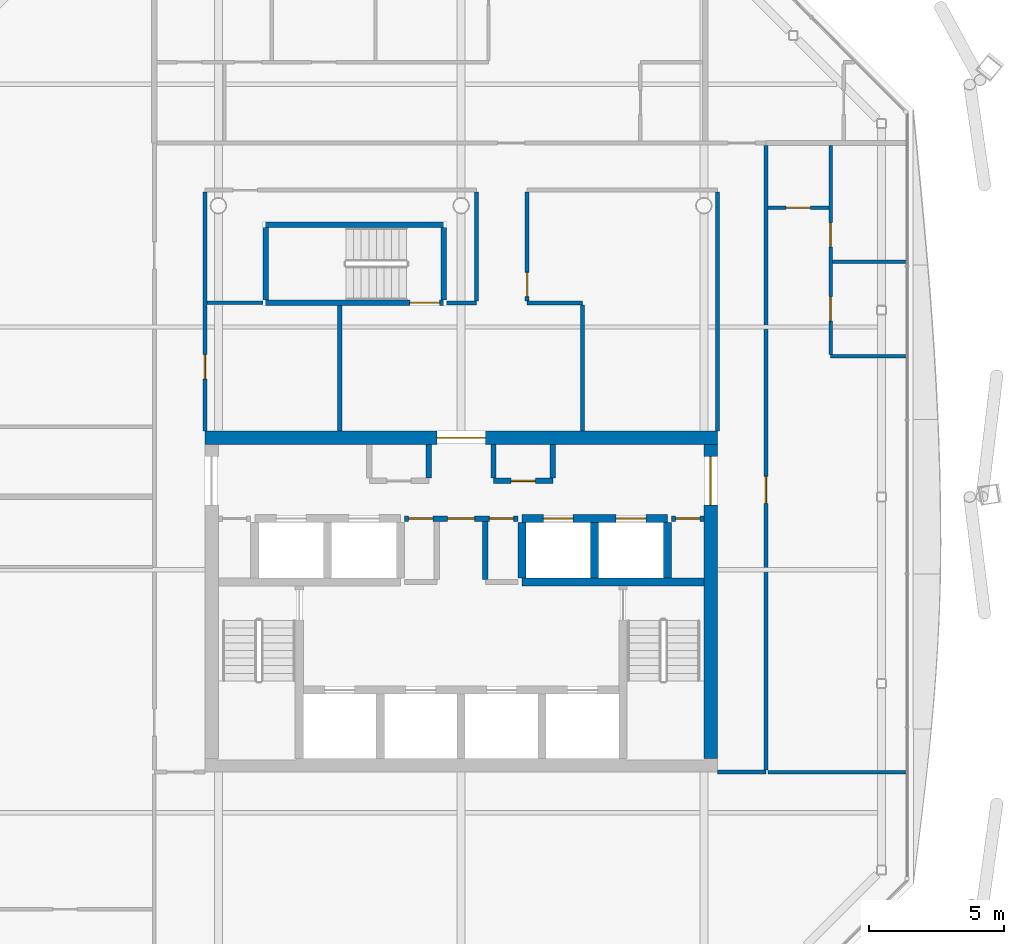
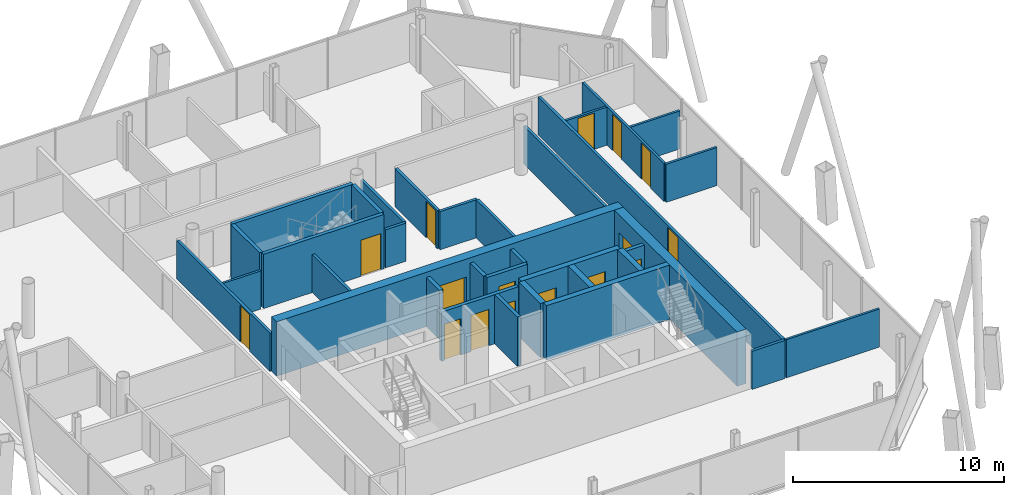
# One storey, part 15 of 20: 34 walls, 16 doors, 16 openings.
"""IFC4 building model written with IfcOpenShell, lengths in metres."""

from ifc_helpers import new_model, si_unit, direction, frame, frame_2d, origin, place, context, subcontext, project, spatial, rectangle, extrude, material, layer, layer_set, type_object, element, fill, save


model = new_model("IFC4")

# Units and contexts
model_context = context("Model", 3, precision=1e-05, world=origin(), true_north=direction((0.0, 1.0)))
body_context = subcontext(model_context, "Body", "Model", "MODEL_VIEW")
ifc_project = project(units=[si_unit("LENGTHUNIT", "METRE"), si_unit("AREAUNIT", "SQUARE_METRE"), si_unit("VOLUMEUNIT", "CUBIC_METRE"), si_unit("PLANEANGLEUNIT", "RADIAN"), si_unit("MASSUNIT", "GRAM", prefix="KILO")], contexts=[model_context])

# Site, building, storey
site_placement = place(None, origin())
site = spatial("IfcSite", under=ifc_project, at=site_placement, CompositionType="ELEMENT")
building_placement = place(site_placement, origin())
building = spatial("IfcBuilding", under=site, at=building_placement, Name="Tskaro Facet Tower", CompositionType="ELEMENT")
storey_placement = place(building_placement, frame((0.0, 0.0, 200.550048828125)))
storey = spatial("IfcBuildingStorey", under=building, at=storey_placement, Name="L51", CompositionType="ELEMENT", Elevation=200.550048828125)

# Wall
ifc_material_1 = material(Name="Concrete C60/75", Category="concrete")
ifc_layer_1 = layer(ifc_material_1, 0.300048828125, Name="Concrete C60/75")
ifc_layer_set_1 = layer_set([ifc_layer_1], Name="Concrete C60/75")
wall_type_1 = type_object("IfcWallType", Name="CORE-SHAFT", PredefinedType="SHEAR", material=ifc_layer_set_1)
wall_1_placement = place(storey_placement, frame((2.25, -4.949951171875, 0.0), z_axis=(0.0, 0.0, 1.0), x_axis=(1.0, 0.0, 0.0)))
element("IfcWall", 1, at=wall_1_placement, inside=storey, type_object=wall_type_1, Name="Shaft wall W012", PredefinedType="SHEAR", context=body_context, shape_type="SweptSolid", body=[
    extrude(rectangle(XDim=6.75, YDim=0.300048828125, at=frame_2d((3.375, 0.0))), origin(), (0.0, 0.0, 1.0), 3.14990234375),
])

# Wall, openings, doors
wall_2_placement = place(storey_placement, frame((2.25, -2.60009765625, 0.0), z_axis=(0.0, 0.0, 1.0), x_axis=(1.0, 0.0, 0.0)))
wall_2 = element("IfcWall", 2, at=wall_2_placement, inside=storey, type_object=wall_type_1, Name="Shaft wall W017", PredefinedType="SHEAR", context=body_context, shape_type="SweptSolid", body=[
    extrude(rectangle(XDim=5.39990234375, YDim=0.300048828125, at=frame_2d((2.699951171875, 0.0))), origin(), (0.0, 0.0, 1.0), 3.14990234375),
])
opening_1_placement = place(wall_2_placement, frame((0.800048828125, 0.0, 0.0)))
opening_1 = element("IfcOpeningElement", 3, at=opening_1_placement, cuts=wall_2, Name="Opening LD-HB3", PredefinedType="OPENING", context=body_context, shape_type="SweptSolid", body=[
    extrude(rectangle(XDim=1.10009765625, YDim=2.10009765625, at=frame_2d((0.550048828125, 1.050048828125))), frame((0.0, 0.159912109375, 0.0), z_axis=(0.0, -1.0, 0.0), x_axis=(1.0, 0.0, 0.0)), (0.0, 0.0, 1.0), 0.320068359375),
])
opening_2_placement = place(wall_2_placement, frame((3.5, 0.0, 0.0)))
opening_2 = element("IfcOpeningElement", 4, at=opening_2_placement, cuts=wall_2, Name="Opening LD-HB4", PredefinedType="OPENING", context=body_context, shape_type="SweptSolid", body=[
    extrude(rectangle(XDim=1.10009765625, YDim=2.10009765625, at=frame_2d((0.550048828125, 1.050048828125))), frame((0.0, 0.159912109375, 0.0), z_axis=(0.0, -1.0, 0.0), x_axis=(1.0, 0.0, 0.0)), (0.0, 0.0, 1.0), 0.320068359375),
])
ifc_material_2 = material(Name="Stainless steel", Category="steel")
door_type_1 = type_object("IfcDoorType", Name="D-LANDING", OperationType="NOTDEFINED", PredefinedType="DOOR", material=ifc_material_2)
door_1_placement = place(opening_1_placement, origin())
door_1 = element("IfcDoor", 5, at=door_1_placement, inside=storey, type_object=door_type_1, Name="Landing door HB3", OperationType="DOUBLE_DOOR_SLIDING", OverallHeight=2.10009765625, OverallWidth=1.10009765625, PredefinedType="DOOR", context=body_context, shape_type="SweptSolid", body=[
    extrude(rectangle(XDim=1.10009765625, YDim=2.10009765625, at=frame_2d((0.550048828125, 1.050048828125))), frame((0.0, 0.02490234375, 0.0), z_axis=(0.0, -1.0, 0.0), x_axis=(1.0, 0.0, 0.0)), (0.0, 0.0, 1.0), 0.050048828125),
])
fill(opening_1, door_1)
door_2_placement = place(opening_2_placement, origin())
door_2 = element("IfcDoor", 6, at=door_2_placement, inside=storey, type_object=door_type_1, Name="Landing door HB4", OperationType="DOUBLE_DOOR_SLIDING", OverallHeight=2.10009765625, OverallWidth=1.10009765625, PredefinedType="DOOR", context=body_context, shape_type="SweptSolid", body=[
    extrude(rectangle(XDim=1.10009765625, YDim=2.10009765625, at=frame_2d((0.550048828125, 1.050048828125))), frame((0.0, 0.02490234375, 0.0), z_axis=(0.0, -1.0, 0.0), x_axis=(1.0, 0.0, 0.0)), (0.0, 0.0, 1.0), 0.050048828125),
])
fill(opening_2, door_2)

# Walls
for number, where, z_axis, x_axis, name in (
    (7, (2.25, -4.800048828125, 0.0), (0.0, 0.0, 1.0), (0.0, 1.0, 0.0), "Shaft wall W071"),
    (8, (4.949951171875, -4.800048828125, 0.0), (0.0, 0.0, 1.0), (0.0, 1.0, 0.0), "Shaft wall W076"),
    (9, (7.64990234375, -4.800048828125, 0.0), (0.0, 0.0, 1.0), (0.0, 1.0, 0.0), "Shaft wall W079"),
):
    element("IfcWall", number, at=place(storey_placement, frame(where, z_axis=z_axis, x_axis=x_axis)), inside=storey, type_object=wall_type_1, Name=name, PredefinedType="SHEAR", context=body_context, shape_type="SweptSolid", body=[
        extrude(rectangle(XDim=2.050048828125, YDim=0.300048828125, at=frame_2d((1.02490234375, 0.0))), origin(), (0.0, 0.0, 1.0), 3.14990234375),
    ])

# Wall, openings, doors
ifc_material_3 = material(Name="Concrete C20/25", Category="concrete")
ifc_layer_2 = layer(ifc_material_3, 0.199951171875, Name="Concrete C20/25")
ifc_layer_set_2 = layer_set([ifc_layer_2], Name="Concrete C20/25")
wall_type_2 = type_object("IfcWallType", Name="CORE-WALL", PredefinedType="SOLIDWALL", material=ifc_layer_set_2)
wall_3_placement = place(storey_placement, frame((2.10009765625, -2.60009765625, 0.0), z_axis=(0.0, 0.0, 1.0), x_axis=(-1.0, 0.0, 0.0)))
wall_3 = element("IfcWall", 10, at=wall_3_placement, inside=storey, type_object=wall_type_2, Name="Core room wall W016", PredefinedType="SOLIDWALL", context=body_context, shape_type="SweptSolid", body=[
    extrude(rectangle(XDim=4.2001953125, YDim=0.199951171875, at=frame_2d((2.10009765625, 0.0))), origin(), (0.0, 0.0, 1.0), 2.849853515625),
])
opening_3_placement = place(wall_3_placement, frame((1.60009765625, 0.0, 0.0)))
opening_3 = element("IfcOpeningElement", 11, at=opening_3_placement, cuts=wall_3, Name="Opening FL-D1", PredefinedType="OPENING", context=body_context, shape_type="SweptSolid", body=[
    extrude(rectangle(XDim=1.0, YDim=2.10009765625, at=frame_2d((0.5, 1.050048828125))), frame((0.0, 0.10986328125, 0.0), z_axis=(0.0, -1.0, 0.0), x_axis=(1.0, 0.0, 0.0)), (0.0, 0.0, 1.0), 0.219970703125),
])
opening_4_placement = place(wall_3_placement, frame((3.14990234375, 0.0, 0.0)))
opening_4 = element("IfcOpeningElement", 12, at=opening_4_placement, cuts=wall_3, Name="Opening T15-D08", PredefinedType="OPENING", context=body_context, shape_type="SweptSolid", body=[
    extrude(rectangle(XDim=0.89990234375, YDim=2.10009765625, at=frame_2d((0.449951171875, 1.050048828125))), frame((0.0, 0.10986328125, 0.0), z_axis=(0.0, -1.0, 0.0), x_axis=(1.0, 0.0, 0.0)), (0.0, 0.0, 1.0), 0.219970703125),
])
opening_5_placement = place(wall_3_placement, frame((0.14990234375, 0.0, 0.0)))
opening_5 = element("IfcOpeningElement", 13, at=opening_5_placement, cuts=wall_3, Name="Opening T15-D09", PredefinedType="OPENING", context=body_context, shape_type="SweptSolid", body=[
    extrude(rectangle(XDim=0.89990234375, YDim=2.10009765625, at=frame_2d((0.449951171875, 1.050048828125))), frame((0.0, 0.10986328125, 0.0), z_axis=(0.0, -1.0, 0.0), x_axis=(1.0, 0.0, 0.0)), (0.0, 0.0, 1.0), 0.219970703125),
])
ifc_material_4 = material(Name="Steel", Category="steel")
door_type_2 = type_object("IfcDoorType", Name="D-LOBBY", OperationType="NOTDEFINED", PredefinedType="DOOR", material=ifc_material_4)
door_3_placement = place(opening_3_placement, origin())
door_3 = element("IfcDoor", 14, at=door_3_placement, inside=storey, type_object=door_type_2, Name="Lobby door FL", OperationType="SINGLE_SWING_RIGHT", OverallHeight=2.10009765625, OverallWidth=1.0, PredefinedType="DOOR", context=body_context, shape_type="SweptSolid", body=[
    extrude(rectangle(XDim=1.0, YDim=2.10009765625, at=frame_2d((0.5, 1.050048828125))), frame((0.0, 0.02490234375, 0.0), z_axis=(0.0, -1.0, 0.0), x_axis=(1.0, 0.0, 0.0)), (0.0, 0.0, 1.0), 0.050048828125),
])
fill(opening_3, door_3)
ifc_material_5 = material(Name="Timber", Category="wood")
door_type_3 = type_object("IfcDoorType", Name="D-ROOM", OperationType="NOTDEFINED", PredefinedType="DOOR", material=ifc_material_5)
door_4_placement = place(opening_4_placement, origin())
door_4 = element("IfcDoor", 15, at=door_4_placement, inside=storey, type_object=door_type_3, Name="Door T15-D08", OperationType="SINGLE_SWING_RIGHT", OverallHeight=2.10009765625, OverallWidth=0.89990234375, PredefinedType="DOOR", context=body_context, shape_type="SweptSolid", body=[
    extrude(rectangle(XDim=0.89990234375, YDim=2.10009765625, at=frame_2d((0.449951171875, 1.050048828125))), frame((0.0, 0.02490234375, 0.0), z_axis=(0.0, -1.0, 0.0), x_axis=(1.0, 0.0, 0.0)), (0.0, 0.0, 1.0), 0.050048828125),
])
fill(opening_4, door_4)
door_5_placement = place(opening_5_placement, origin())
door_5 = element("IfcDoor", 16, at=door_5_placement, inside=storey, type_object=door_type_3, Name="Door T15-D09", OperationType="SINGLE_SWING_RIGHT", OverallHeight=2.10009765625, OverallWidth=0.89990234375, PredefinedType="DOOR", context=body_context, shape_type="SweptSolid", body=[
    extrude(rectangle(XDim=0.89990234375, YDim=2.10009765625, at=frame_2d((0.449951171875, 1.050048828125))), frame((0.0, 0.02490234375, 0.0), z_axis=(0.0, -1.0, 0.0), x_axis=(1.0, 0.0, 0.0)), (0.0, 0.0, 1.0), 0.050048828125),
])
fill(opening_5, door_5)

# Wall, opening, door
wall_4_placement = place(storey_placement, frame((9.0, -2.60009765625, 0.0), z_axis=(0.0, 0.0, 1.0), x_axis=(-1.0, 0.0, 0.0)))
wall_4 = element("IfcWall", 17, at=wall_4_placement, inside=storey, type_object=wall_type_2, Name="Core room wall W018", PredefinedType="SOLIDWALL", context=body_context, shape_type="SweptSolid", body=[
    extrude(rectangle(XDim=1.199951171875, YDim=0.199951171875, at=frame_2d((0.60009765625, 0.0))), origin(), (0.0, 0.0, 1.0), 2.849853515625),
])
opening_6_placement = place(wall_4_placement, frame((0.14990234375, 0.0, 0.0)))
opening_6 = element("IfcOpeningElement", 18, at=opening_6_placement, cuts=wall_4, Name="Opening T15-D10", PredefinedType="OPENING", context=body_context, shape_type="SweptSolid", body=[
    extrude(rectangle(XDim=0.89990234375, YDim=2.10009765625, at=frame_2d((0.449951171875, 1.050048828125))), frame((0.0, 0.10986328125, 0.0), z_axis=(0.0, -1.0, 0.0), x_axis=(1.0, 0.0, 0.0)), (0.0, 0.0, 1.0), 0.219970703125),
])
door_6_placement = place(opening_6_placement, origin())
door_6 = element("IfcDoor", 19, at=door_6_placement, inside=storey, type_object=door_type_3, Name="Door T15-D10", OperationType="SINGLE_SWING_RIGHT", OverallHeight=2.10009765625, OverallWidth=0.89990234375, PredefinedType="DOOR", context=body_context, shape_type="SweptSolid", body=[
    extrude(rectangle(XDim=0.89990234375, YDim=2.10009765625, at=frame_2d((0.449951171875, 1.050048828125))), frame((0.0, 0.02490234375, 0.0), z_axis=(0.0, -1.0, 0.0), x_axis=(1.0, 0.0, 0.0)), (0.0, 0.0, 1.0), 0.050048828125),
])
fill(opening_6, door_6)

wall_5_placement = place(storey_placement, frame((1.199951171875, -1.199951171875, 0.0), z_axis=(0.0, 0.0, 1.0), x_axis=(1.0, 0.0, 0.0)))
wall_5 = element("IfcWall", 20, at=wall_5_placement, inside=storey, type_object=wall_type_2, Name="Core room wall W022", PredefinedType="SOLIDWALL", context=body_context, shape_type="SweptSolid", body=[
    extrude(rectangle(XDim=2.199951171875, YDim=0.199951171875, at=frame_2d((1.10009765625, 0.0))), origin(), (0.0, 0.0, 1.0), 2.849853515625),
])
opening_7_placement = place(wall_5_placement, frame((0.64990234375, 0.0, 0.0)))
opening_7 = element("IfcOpeningElement", 21, at=opening_7_placement, cuts=wall_5, Name="Opening T15-D14", PredefinedType="OPENING", context=body_context, shape_type="SweptSolid", body=[
    extrude(rectangle(XDim=0.89990234375, YDim=2.10009765625, at=frame_2d((0.449951171875, 1.050048828125))), frame((0.0, 0.10986328125, 0.0), z_axis=(0.0, -1.0, 0.0), x_axis=(1.0, 0.0, 0.0)), (0.0, 0.0, 1.0), 0.219970703125),
])
door_7_placement = place(opening_7_placement, origin())
door_7 = element("IfcDoor", 22, at=door_7_placement, inside=storey, type_object=door_type_3, Name="Door T15-D14", OperationType="SINGLE_SWING_LEFT", OverallHeight=2.10009765625, OverallWidth=0.89990234375, PredefinedType="DOOR", context=body_context, shape_type="SweptSolid", body=[
    extrude(rectangle(XDim=0.89990234375, YDim=2.10009765625, at=frame_2d((0.449951171875, 1.050048828125))), frame((0.0, 0.02490234375, 0.0), z_axis=(0.0, -1.0, 0.0), x_axis=(1.0, 0.0, 0.0)), (0.0, 0.0, 1.0), 0.050048828125),
])
fill(opening_7, door_7)

# Walls
wall_6_placement = place(storey_placement, frame((-1.199951171875, -1.10009765625, 0.0), z_axis=(0.0, 0.0, 1.0), x_axis=(0.0, 1.0, 0.0)))
element("IfcWall", 23, at=wall_6_placement, inside=storey, type_object=wall_type_2, Name="Core room wall W062", PredefinedType="SOLIDWALL", context=body_context, shape_type="SweptSolid", body=[
    extrude(rectangle(XDim=1.25, YDim=0.199951171875, at=frame_2d((0.625, 0.0))), origin(), (0.0, 0.0, 1.0), 2.849853515625),
])
wall_7_placement = place(storey_placement, frame((0.89990234375, -4.85009765625, 0.0), z_axis=(0.0, 0.0, 1.0), x_axis=(0.0, 1.0, 0.0)))
element("IfcWall", 24, at=wall_7_placement, inside=storey, type_object=wall_type_2, Name="Core room wall W067", PredefinedType="SOLIDWALL", context=body_context, shape_type="SweptSolid", body=[
    extrude(rectangle(XDim=2.150146484375, YDim=0.199951171875, at=frame_2d((1.0751953125, 0.0))), origin(), (0.0, 0.0, 1.0), 2.849853515625),
])
for number, where, z_axis, x_axis, name in (
    (25, (1.199951171875, -1.10009765625, 0.0), (0.0, 0.0, 1.0), (0.0, 1.0, 0.0), "Core room wall W070"),
    (26, (3.39990234375, -1.10009765625, 0.0), (0.0, 0.0, 1.0), (0.0, 1.0, 0.0), "Core room wall W074"),
):
    element("IfcWall", number, at=place(storey_placement, frame(where, z_axis=z_axis, x_axis=x_axis)), inside=storey, type_object=wall_type_2, Name=name, PredefinedType="SOLIDWALL", context=body_context, shape_type="SweptSolid", body=[
        extrude(rectangle(XDim=1.25, YDim=0.199951171875, at=frame_2d((0.625, 0.0))), origin(), (0.0, 0.0, 1.0), 2.849853515625),
    ])

# Wall, opening, door
ifc_material_6 = material(Name="Concrete C40/50", Category="concrete")
ifc_layer_3 = layer(ifc_material_6, 0.5, Name="Concrete C40/50")
ifc_layer_set_3 = layer_set([ifc_layer_3], Name="Concrete C40/50")
wall_type_3 = type_object("IfcWallType", Name="Core wall 500", PredefinedType="SHEAR", material=ifc_layer_set_3)
wall_8_placement = place(storey_placement, frame((-9.5, 0.39990234375, 0.0), z_axis=(0.0, 0.0, 1.0), x_axis=(1.0, 0.0, 0.0)))
wall_8 = element("IfcWall", 27, at=wall_8_placement, inside=storey, type_object=wall_type_3, Name="Core wall CW-Z3N", PredefinedType="SHEAR", context=body_context, shape_type="SweptSolid", body=[
    extrude(rectangle(XDim=19.0, YDim=0.5, at=frame_2d((9.5, 0.0))), origin(), (0.0, 0.0, 1.0), 3.14990234375),
])
opening_8_placement = place(wall_8_placement, frame((8.60009765625, 0.0, 0.0)))
opening_8 = element("IfcOpeningElement", 28, at=opening_8_placement, cuts=wall_8, Name="Opening T15-D17", PredefinedType="OPENING", context=body_context, shape_type="SweptSolid", body=[
    extrude(rectangle(XDim=1.800048828125, YDim=2.10009765625, at=frame_2d((0.89990234375, 1.050048828125))), frame((0.0, 0.260009765625, 0.0), z_axis=(0.0, -1.0, 0.0), x_axis=(1.0, 0.0, 0.0)), (0.0, 0.0, 1.0), 0.52001953125),
])
door_type_4 = type_object("IfcDoorType", Name="D-CORE-PAIR", OperationType="NOTDEFINED", PredefinedType="DOOR", material=ifc_material_4)
door_8_placement = place(opening_8_placement, origin())
door_8 = element("IfcDoor", 29, at=door_8_placement, inside=storey, type_object=door_type_4, Name="Door T15-D17", OperationType="DOUBLE_DOOR_SINGLE_SWING", OverallHeight=2.10009765625, OverallWidth=1.800048828125, PredefinedType="DOOR", context=body_context, shape_type="SweptSolid", body=[
    extrude(rectangle(XDim=1.800048828125, YDim=2.10009765625, at=frame_2d((0.89990234375, 1.050048828125))), frame((0.0, 0.02490234375, 0.0), z_axis=(0.0, -1.0, 0.0), x_axis=(1.0, 0.0, 0.0)), (0.0, 0.0, 1.0), 0.050048828125),
])
fill(opening_8, door_8)

wall_9_placement = place(storey_placement, frame((9.25, -11.5, 0.0), z_axis=(0.0, 0.0, 1.0), x_axis=(0.0, 1.0, 0.0)))
wall_9 = element("IfcWall", 30, at=wall_9_placement, inside=storey, type_object=wall_type_3, Name="Core wall CW-Z3E", PredefinedType="SHEAR", context=body_context, shape_type="SweptSolid", body=[
    extrude(rectangle(XDim=11.64990234375, YDim=0.5, at=frame_2d((5.824951171875, 0.0))), origin(), (0.0, 0.0, 1.0), 3.14990234375),
])
opening_9_placement = place(wall_9_placement, frame((9.39990234375, 0.0, 0.0)))
opening_9 = element("IfcOpeningElement", 31, at=opening_9_placement, cuts=wall_9, Name="Opening T15-D15", PredefinedType="OPENING", context=body_context, shape_type="SweptSolid", body=[
    extrude(rectangle(XDim=1.800048828125, YDim=2.10009765625, at=frame_2d((0.89990234375, 1.050048828125))), frame((0.0, 0.260009765625, 0.0), z_axis=(0.0, -1.0, 0.0), x_axis=(1.0, 0.0, 0.0)), (0.0, 0.0, 1.0), 0.52001953125),
])
door_9_placement = place(opening_9_placement, origin())
door_9 = element("IfcDoor", 32, at=door_9_placement, inside=storey, type_object=door_type_4, Name="Door T15-D15", OperationType="DOUBLE_DOOR_SINGLE_SWING", OverallHeight=2.10009765625, OverallWidth=1.800048828125, PredefinedType="DOOR", context=body_context, shape_type="SweptSolid", body=[
    extrude(rectangle(XDim=1.800048828125, YDim=2.10009765625, at=frame_2d((0.89990234375, 1.050048828125))), frame((0.0, 0.02490234375, 0.0), z_axis=(0.0, -1.0, 0.0), x_axis=(1.0, 0.0, 0.0)), (0.0, 0.0, 1.0), 0.050048828125),
])
fill(opening_9, door_9)

# Walls
ifc_material_7 = material(Name="Gypsum board on steel studs", Category="steel")
ifc_layer_4 = layer(ifc_material_7, 0.125, Name="Gypsum board on steel studs")
ifc_layer_set_4 = layer_set([ifc_layer_4], Name="Gypsum board on steel studs")
wall_type_4 = type_object("IfcWallType", Name="PART", PredefinedType="PARTITIONING", material=ifc_layer_set_4)
wall_10_placement = place(storey_placement, frame((11.375, -12.0, 0.0), z_axis=(0.0, 0.0, 1.0), x_axis=(1.0, 0.0, 0.0)))
element("IfcWall", 33, at=wall_10_placement, inside=storey, type_object=wall_type_4, Name="Partition W004", PredefinedType="PARTITIONING", context=body_context, shape_type="SweptSolid", body=[
    extrude(rectangle(XDim=5.10791015625, YDim=0.125, at=frame_2d((2.553955078125, 0.0))), origin(), (0.0, 0.0, 1.0), 2.2099609375),
])
wall_11_placement = place(storey_placement, frame((13.699951171875, 3.425048828125, 0.0), z_axis=(0.0, 0.0, 1.0), x_axis=(1.0, 0.0, 0.0)))
element("IfcWall", 34, at=wall_11_placement, inside=storey, type_object=wall_type_4, Name="Partition W025", PredefinedType="PARTITIONING", context=body_context, shape_type="SweptSolid", body=[
    extrude(rectangle(XDim=2.782958984375, YDim=0.125, at=frame_2d((1.3916015625, 0.0))), origin(), (0.0, 0.0, 1.0), 2.2099609375),
])
wall_12_placement = place(storey_placement, frame((-9.425048828125, 5.39990234375, 0.0), z_axis=(0.0, 0.0, 1.0), x_axis=(1.0, 0.0, 0.0)))
element("IfcWall", 35, at=wall_12_placement, inside=storey, type_object=wall_type_4, Name="Partition W028", PredefinedType="PARTITIONING", context=body_context, shape_type="SweptSolid", body=[
    extrude(rectangle(XDim=2.074951171875, YDim=0.125, at=frame_2d((1.03759765625, 0.0))), origin(), (0.0, 0.0, 1.0), 2.2099609375),
])
wall_13_placement = place(storey_placement, frame((13.762451171875, 6.925048828125, 0.0), z_axis=(0.0, 0.0, 1.0), x_axis=(1.0, 0.0, 0.0)))
element("IfcWall", 36, at=wall_13_placement, inside=storey, type_object=wall_type_4, Name="Partition W032", PredefinedType="PARTITIONING", context=body_context, shape_type="SweptSolid", body=[
    extrude(rectangle(XDim=2.720458984375, YDim=0.125, at=frame_2d((1.3603515625, 0.0))), origin(), (0.0, 0.0, 1.0), 2.2099609375),
])

# Wall, opening, door
wall_14_placement = place(storey_placement, frame((11.375, 8.925048828125, 0.0), z_axis=(0.0, 0.0, 1.0), x_axis=(1.0, 0.0, 0.0)))
wall_14 = element("IfcWall", 37, at=wall_14_placement, inside=storey, type_object=wall_type_4, Name="Partition W034", PredefinedType="PARTITIONING", context=body_context, shape_type="SweptSolid", body=[
    extrude(rectangle(XDim=2.262451171875, YDim=0.125, at=frame_2d((1.13134765625, 0.0))), origin(), (0.0, 0.0, 1.0), 2.2099609375),
])
opening_10_placement = place(wall_14_placement, frame((0.675048828125, 0.0, 0.0)))
opening_10 = element("IfcOpeningElement", 38, at=opening_10_placement, cuts=wall_14, Name="Opening T15-D25", PredefinedType="OPENING", context=body_context, shape_type="SweptSolid", body=[
    extrude(rectangle(XDim=0.89990234375, YDim=2.10009765625, at=frame_2d((0.449951171875, 1.050048828125))), frame((0.0, 0.072509765625, 0.0), z_axis=(0.0, -1.0, 0.0), x_axis=(1.0, 0.0, 0.0)), (0.0, 0.0, 1.0), 0.14501953125),
])
door_10_placement = place(opening_10_placement, origin())
door_10 = element("IfcDoor", 39, at=door_10_placement, inside=storey, type_object=door_type_3, Name="Door T15-D25", OperationType="SINGLE_SWING_LEFT", OverallHeight=2.10009765625, OverallWidth=0.89990234375, PredefinedType="DOOR", context=body_context, shape_type="SweptSolid", body=[
    extrude(rectangle(XDim=0.89990234375, YDim=2.10009765625, at=frame_2d((0.449951171875, 1.050048828125))), frame((0.0, 0.02490234375, 0.0), z_axis=(0.0, -1.0, 0.0), x_axis=(1.0, 0.0, 0.0)), (0.0, 0.0, 1.0), 0.050048828125),
])
fill(opening_10, door_10)

# Wall, openings, doors
wall_15_placement = place(storey_placement, frame((13.699951171875, 11.22509765625, 0.0), z_axis=(0.0, 0.0, 1.0), x_axis=(0.0, -1.0, 0.0)))
wall_15 = element("IfcWall", 40, at=wall_15_placement, inside=storey, type_object=wall_type_4, Name="Partition W084", PredefinedType="PARTITIONING", context=body_context, shape_type="SweptSolid", body=[
    extrude(rectangle(XDim=7.737548828125, YDim=0.125, at=frame_2d((3.86865234375, 0.0))), origin(), (0.0, 0.0, 1.0), 2.2099609375),
])
opening_11_placement = place(wall_15_placement, frame((5.60009765625, 0.0, 0.0)))
opening_11 = element("IfcOpeningElement", 41, at=opening_11_placement, cuts=wall_15, Name="Opening T15-D21", PredefinedType="OPENING", context=body_context, shape_type="SweptSolid", body=[
    extrude(rectangle(XDim=0.89990234375, YDim=2.10009765625, at=frame_2d((0.449951171875, 1.050048828125))), frame((0.0, 0.072509765625, 0.0), z_axis=(0.0, -1.0, 0.0), x_axis=(1.0, 0.0, 0.0)), (0.0, 0.0, 1.0), 0.14501953125),
])
opening_12_placement = place(wall_15_placement, frame((2.85009765625, 0.0, 0.0)))
opening_12 = element("IfcOpeningElement", 42, at=opening_12_placement, cuts=wall_15, Name="Opening T15-D24", PredefinedType="OPENING", context=body_context, shape_type="SweptSolid", body=[
    extrude(rectangle(XDim=0.89990234375, YDim=2.10009765625, at=frame_2d((0.449951171875, 1.050048828125))), frame((0.0, 0.072509765625, 0.0), z_axis=(0.0, -1.0, 0.0), x_axis=(1.0, 0.0, 0.0)), (0.0, 0.0, 1.0), 0.14501953125),
])
door_11_placement = place(opening_11_placement, origin())
door_11 = element("IfcDoor", 43, at=door_11_placement, inside=storey, type_object=door_type_3, Name="Door T15-D21", OperationType="SINGLE_SWING_RIGHT", OverallHeight=2.10009765625, OverallWidth=0.89990234375, PredefinedType="DOOR", context=body_context, shape_type="SweptSolid", body=[
    extrude(rectangle(XDim=0.89990234375, YDim=2.10009765625, at=frame_2d((0.449951171875, 1.050048828125))), frame((0.0, 0.02490234375, 0.0), z_axis=(0.0, -1.0, 0.0), x_axis=(1.0, 0.0, 0.0)), (0.0, 0.0, 1.0), 0.050048828125),
])
fill(opening_11, door_11)
door_12_placement = place(opening_12_placement, origin())
door_12 = element("IfcDoor", 44, at=door_12_placement, inside=storey, type_object=door_type_3, Name="Door T15-D24", OperationType="SINGLE_SWING_LEFT", OverallHeight=2.10009765625, OverallWidth=0.89990234375, PredefinedType="DOOR", context=body_context, shape_type="SweptSolid", body=[
    extrude(rectangle(XDim=0.89990234375, YDim=2.10009765625, at=frame_2d((0.449951171875, 1.050048828125))), frame((0.0, 0.02490234375, 0.0), z_axis=(0.0, -1.0, 0.0), x_axis=(1.0, 0.0, 0.0)), (0.0, 0.0, 1.0), 0.050048828125),
])
fill(opening_12, door_12)

# Walls
ifc_layer_5 = layer(ifc_material_7, 0.14990234375, Name="Gypsum board on steel studs")
ifc_layer_set_5 = layer_set([ifc_layer_5], Name="Gypsum board on steel studs")
wall_type_5 = type_object("IfcWallType", Name="PART-CORR", PredefinedType="PARTITIONING", material=ifc_layer_set_5)
wall_16_placement = place(storey_placement, frame((9.5, -12.0, 0.0), z_axis=(0.0, 0.0, 1.0), x_axis=(1.0, 0.0, 0.0)))
element("IfcWall", 45, at=wall_16_placement, inside=storey, type_object=wall_type_5, Name="Corridor wall W003", PredefinedType="PARTITIONING", context=body_context, shape_type="SweptSolid", body=[
    extrude(rectangle(XDim=1.800048828125, YDim=0.14990234375, at=frame_2d((0.89990234375, 0.0))), origin(), (0.0, 0.0, 1.0), 2.2099609375),
])
wall_17_placement = place(storey_placement, frame((-0.550048828125, 5.39990234375, 0.0), z_axis=(0.0, 0.0, 1.0), x_axis=(1.0, 0.0, 0.0)))
element("IfcWall", 46, at=wall_17_placement, inside=storey, type_object=wall_type_5, Name="Corridor wall W030", PredefinedType="PARTITIONING", context=body_context, shape_type="SweptSolid", body=[
    extrude(rectangle(XDim=1.125, YDim=0.14990234375, at=frame_2d((0.5625, 0.0))), origin(), (0.0, 0.0, 1.0), 2.2099609375),
])
wall_18_placement = place(storey_placement, frame((2.449951171875, 5.39990234375, 0.0), z_axis=(0.0, 0.0, 1.0), x_axis=(1.0, 0.0, 0.0)))
element("IfcWall", 47, at=wall_18_placement, inside=storey, type_object=wall_type_5, Name="Corridor wall W031", PredefinedType="PARTITIONING", context=body_context, shape_type="SweptSolid", body=[
    extrude(rectangle(XDim=2.050048828125, YDim=0.14990234375, at=frame_2d((1.02490234375, 0.0))), origin(), (0.0, 0.0, 1.0), 2.2099609375),
])

# Wall, opening, door
wall_19_placement = place(storey_placement, frame((-9.5, 9.5, 0.0), z_axis=(0.0, 0.0, 1.0), x_axis=(0.0, -1.0, 0.0)))
wall_19 = element("IfcWall", 48, at=wall_19_placement, inside=storey, type_object=wall_type_5, Name="Corridor wall W049", PredefinedType="PARTITIONING", context=body_context, shape_type="SweptSolid", body=[
    extrude(rectangle(XDim=8.85009765625, YDim=0.14990234375, at=frame_2d((4.425048828125, 0.0))), origin(), (0.0, 0.0, 1.0), 2.2099609375),
])
opening_13_placement = place(wall_19_placement, frame((6.02490234375, 0.0, 0.0)))
opening_13 = element("IfcOpeningElement", 49, at=opening_13_placement, cuts=wall_19, Name="Opening T15-D19", PredefinedType="OPENING", context=body_context, shape_type="SweptSolid", body=[
    extrude(rectangle(XDim=0.89990234375, YDim=2.10009765625, at=frame_2d((0.449951171875, 1.050048828125))), frame((0.0, 0.0849609375, 0.0), z_axis=(0.0, -1.0, 0.0), x_axis=(1.0, 0.0, 0.0)), (0.0, 0.0, 1.0), 0.169921875),
])
door_13_placement = place(opening_13_placement, origin())
door_13 = element("IfcDoor", 50, at=door_13_placement, inside=storey, type_object=door_type_3, Name="Door T15-D19", OperationType="SINGLE_SWING_RIGHT", OverallHeight=2.10009765625, OverallWidth=0.89990234375, PredefinedType="DOOR", context=body_context, shape_type="SweptSolid", body=[
    extrude(rectangle(XDim=0.89990234375, YDim=2.10009765625, at=frame_2d((0.449951171875, 1.050048828125))), frame((0.0, 0.02490234375, 0.0), z_axis=(0.0, -1.0, 0.0), x_axis=(1.0, 0.0, 0.0)), (0.0, 0.0, 1.0), 0.050048828125),
])
fill(opening_13, door_13)

# Walls
wall_20_placement = place(storey_placement, frame((-4.5, 0.64990234375, 0.0), z_axis=(0.0, 0.0, 1.0), x_axis=(0.0, 1.0, 0.0)))
element("IfcWall", 51, at=wall_20_placement, inside=storey, type_object=wall_type_5, Name="Corridor wall W057", PredefinedType="PARTITIONING", context=body_context, shape_type="SweptSolid", body=[
    extrude(rectangle(XDim=4.650146484375, YDim=0.14990234375, at=frame_2d((2.3251953125, 0.0))), origin(), (0.0, 0.0, 1.0), 2.2099609375),
])
wall_21_placement = place(storey_placement, frame((0.574951171875, 5.47509765625, 0.0), z_axis=(0.0, 0.0, 1.0), x_axis=(0.0, 1.0, 0.0)))
element("IfcWall", 52, at=wall_21_placement, inside=storey, type_object=wall_type_5, Name="Corridor wall W066", PredefinedType="PARTITIONING", context=body_context, shape_type="SweptSolid", body=[
    extrude(rectangle(XDim=4.02490234375, YDim=0.14990234375, at=frame_2d((2.012451171875, 0.0))), origin(), (0.0, 0.0, 1.0), 2.2099609375),
])

# Wall, opening, door
wall_22_placement = place(storey_placement, frame((2.449951171875, 9.5, 0.0), z_axis=(0.0, 0.0, 1.0), x_axis=(0.0, -1.0, 0.0)))
wall_22 = element("IfcWall", 53, at=wall_22_placement, inside=storey, type_object=wall_type_5, Name="Corridor wall W072", PredefinedType="PARTITIONING", context=body_context, shape_type="SweptSolid", body=[
    extrude(rectangle(XDim=4.02490234375, YDim=0.14990234375, at=frame_2d((2.012451171875, 0.0))), origin(), (0.0, 0.0, 1.0), 2.2099609375),
])
opening_14_placement = place(wall_22_placement, frame((2.97509765625, 0.0, 0.0)))
opening_14 = element("IfcOpeningElement", 54, at=opening_14_placement, cuts=wall_22, Name="Opening T15-D22", PredefinedType="OPENING", context=body_context, shape_type="SweptSolid", body=[
    extrude(rectangle(XDim=0.89990234375, YDim=2.10009765625, at=frame_2d((0.449951171875, 1.050048828125))), frame((0.0, 0.0849609375, 0.0), z_axis=(0.0, -1.0, 0.0), x_axis=(1.0, 0.0, 0.0)), (0.0, 0.0, 1.0), 0.169921875),
])
door_14_placement = place(opening_14_placement, origin())
door_14 = element("IfcDoor", 55, at=door_14_placement, inside=storey, type_object=door_type_3, Name="Door T15-D22", OperationType="SINGLE_SWING_RIGHT", OverallHeight=2.10009765625, OverallWidth=0.89990234375, PredefinedType="DOOR", context=body_context, shape_type="SweptSolid", body=[
    extrude(rectangle(XDim=0.89990234375, YDim=2.10009765625, at=frame_2d((0.449951171875, 1.050048828125))), frame((0.0, 0.02490234375, 0.0), z_axis=(0.0, -1.0, 0.0), x_axis=(1.0, 0.0, 0.0)), (0.0, 0.0, 1.0), 0.050048828125),
])
fill(opening_14, door_14)

# Walls
wall_23_placement = place(storey_placement, frame((4.5, 0.64990234375, 0.0), z_axis=(0.0, 0.0, 1.0), x_axis=(0.0, 1.0, 0.0)))
element("IfcWall", 56, at=wall_23_placement, inside=storey, type_object=wall_type_5, Name="Corridor wall W075", PredefinedType="PARTITIONING", context=body_context, shape_type="SweptSolid", body=[
    extrude(rectangle(XDim=4.675048828125, YDim=0.14990234375, at=frame_2d((2.33740234375, 0.0))), origin(), (0.0, 0.0, 1.0), 2.2099609375),
])
wall_24_placement = place(storey_placement, frame((9.5, 0.64990234375, 0.0), z_axis=(0.0, 0.0, 1.0), x_axis=(0.0, 1.0, 0.0)))
element("IfcWall", 57, at=wall_24_placement, inside=storey, type_object=wall_type_5, Name="Corridor wall W082", PredefinedType="PARTITIONING", context=body_context, shape_type="SweptSolid", body=[
    extrude(rectangle(XDim=8.85009765625, YDim=0.14990234375, at=frame_2d((4.425048828125, 0.0))), origin(), (0.0, 0.0, 1.0), 2.2099609375),
])

# Wall, opening, door
wall_25_placement = place(storey_placement, frame((11.300048828125, 11.22509765625, 0.0), z_axis=(0.0, 0.0, 1.0), x_axis=(0.0, -1.0, 0.0)))
wall_25 = element("IfcWall", 58, at=wall_25_placement, inside=storey, type_object=wall_type_5, Name="Corridor wall W083", PredefinedType="PARTITIONING", context=body_context, shape_type="SweptSolid", body=[
    extrude(rectangle(XDim=23.150146484375, YDim=0.14990234375, at=frame_2d((11.5751953125, 0.0))), origin(), (0.0, 0.0, 1.0), 2.2099609375),
])
opening_15_placement = place(wall_25_placement, frame((12.262451171875, 0.0, 0.0)))
opening_15 = element("IfcOpeningElement", 59, at=opening_15_placement, cuts=wall_25, Name="Opening T15-D11", PredefinedType="OPENING", context=body_context, shape_type="SweptSolid", body=[
    extrude(rectangle(XDim=1.0, YDim=2.10009765625, at=frame_2d((0.5, 1.050048828125))), frame((0.0, 0.0849609375, 0.0), z_axis=(0.0, -1.0, 0.0), x_axis=(1.0, 0.0, 0.0)), (0.0, 0.0, 1.0), 0.169921875),
])
door_type_5 = type_object("IfcDoorType", Name="D-FLAT-ENTRY", OperationType="NOTDEFINED", PredefinedType="DOOR", material=ifc_material_5)
door_15_placement = place(opening_15_placement, origin())
door_15 = element("IfcDoor", 60, at=door_15_placement, inside=storey, type_object=door_type_5, Name="Door T15-D11", OperationType="SINGLE_SWING_RIGHT", OverallHeight=2.10009765625, OverallWidth=1.0, PredefinedType="DOOR", context=body_context, shape_type="SweptSolid", body=[
    extrude(rectangle(XDim=1.0, YDim=2.10009765625, at=frame_2d((0.5, 1.050048828125))), frame((0.0, 0.02490234375, 0.0), z_axis=(0.0, -1.0, 0.0), x_axis=(1.0, 0.0, 0.0)), (0.0, 0.0, 1.0), 0.050048828125),
])
fill(opening_15, door_15)

ifc_layer_6 = layer(ifc_material_1, 0.199951171875, Name="Concrete C60/75")
ifc_layer_set_6 = layer_set([ifc_layer_6], Name="Concrete C60/75")
wall_type_6 = type_object("IfcWallType", Name="STAIR-WALL", PredefinedType="SHEAR", material=ifc_layer_set_6)
wall_26_placement = place(storey_placement, frame((-7.25, 5.39990234375, 0.0), z_axis=(0.0, 0.0, 1.0), x_axis=(1.0, 0.0, 0.0)))
wall_26 = element("IfcWall", 61, at=wall_26_placement, inside=storey, type_object=wall_type_6, Name="Stair wall W029", PredefinedType="SHEAR", context=body_context, shape_type="SweptSolid", body=[
    extrude(rectangle(XDim=6.60009765625, YDim=0.199951171875, at=frame_2d((3.300048828125, 0.0))), origin(), (0.0, 0.0, 1.0), 3.14990234375),
])
opening_16_placement = place(wall_26_placement, frame((5.35009765625, 0.0, 0.0)))
opening_16 = element("IfcOpeningElement", 62, at=opening_16_placement, cuts=wall_26, Name="Opening ST-3-D1", PredefinedType="OPENING", context=body_context, shape_type="SweptSolid", body=[
    extrude(rectangle(XDim=1.10009765625, YDim=2.10009765625, at=frame_2d((0.550048828125, 1.050048828125))), frame((0.0, 0.10986328125, 0.0), z_axis=(0.0, -1.0, 0.0), x_axis=(1.0, 0.0, 0.0)), (0.0, 0.0, 1.0), 0.219970703125),
])
door_type_6 = type_object("IfcDoorType", Name="D-STAIR", OperationType="NOTDEFINED", PredefinedType="DOOR", material=ifc_material_4)
door_16_placement = place(opening_16_placement, origin())
door_16 = element("IfcDoor", 63, at=door_16_placement, inside=storey, type_object=door_type_6, Name="Stair door 3", OperationType="SINGLE_SWING_LEFT", OverallHeight=2.10009765625, OverallWidth=1.10009765625, PredefinedType="DOOR", context=body_context, shape_type="SweptSolid", body=[
    extrude(rectangle(XDim=1.10009765625, YDim=2.10009765625, at=frame_2d((0.550048828125, 1.050048828125))), frame((0.0, 0.02490234375, 0.0), z_axis=(0.0, -1.0, 0.0), x_axis=(1.0, 0.0, 0.0)), (0.0, 0.0, 1.0), 0.050048828125),
])
fill(opening_16, door_16)

# Walls
wall_27_placement = place(storey_placement, frame((-7.25, 8.300048828125, 0.0), z_axis=(0.0, 0.0, 1.0), x_axis=(1.0, 0.0, 0.0)))
element("IfcWall", 64, at=wall_27_placement, inside=storey, type_object=wall_type_6, Name="Stair wall W033", PredefinedType="SHEAR", context=body_context, shape_type="SweptSolid", body=[
    extrude(rectangle(XDim=6.60009765625, YDim=0.199951171875, at=frame_2d((3.300048828125, 0.0))), origin(), (0.0, 0.0, 1.0), 3.14990234375),
])
for number, where, z_axis, x_axis, name in (
    (65, (-7.25, 5.5, 0.0), (0.0, 0.0, 1.0), (0.0, 1.0, 0.0), "Stair wall W052"),
    (66, (-0.64990234375, 5.5, 0.0), (0.0, 0.0, 1.0), (0.0, 1.0, 0.0), "Stair wall W064"),
):
    element("IfcWall", number, at=place(storey_placement, frame(where, z_axis=z_axis, x_axis=x_axis)), inside=storey, type_object=wall_type_6, Name=name, PredefinedType="SHEAR", context=body_context, shape_type="SweptSolid", body=[
        extrude(rectangle(XDim=2.699951171875, YDim=0.199951171875, at=frame_2d((1.35009765625, 0.0))), origin(), (0.0, 0.0, 1.0), 3.14990234375),
    ])

save(model, "model.ifc")
